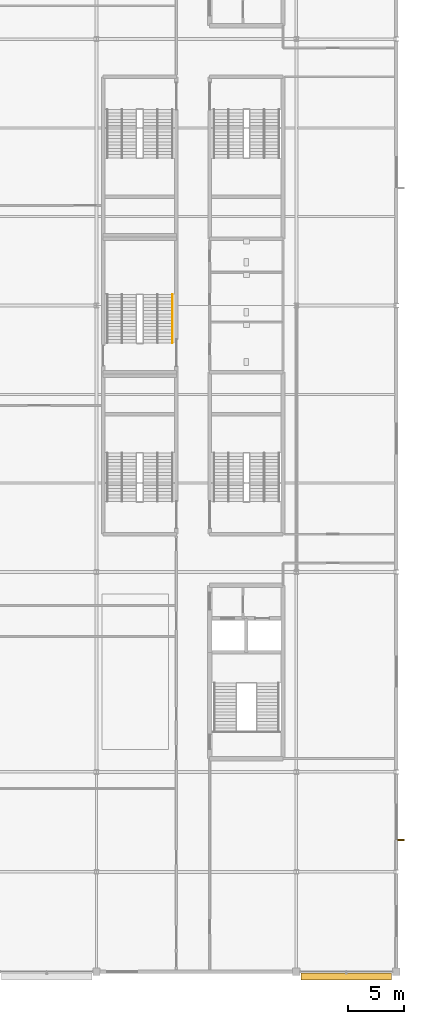
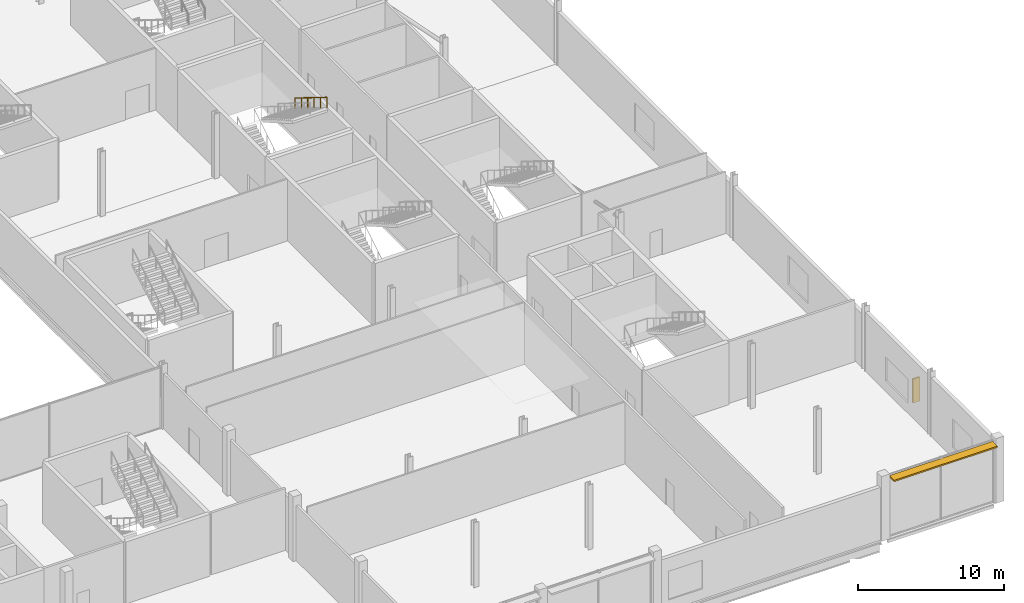
# One storey, part 107 of 111: 2 shading devices, 1 railing.
"""IFC4 building model written with IfcOpenShell, lengths in metres."""

from ifc_helpers import new_model, si_unit, direction, frame, origin, origin_2d, place, context, subcontext, project, spatial, rectangle, circle, extrude, material, type_object, element, save


model = new_model("IFC4")

# Units and contexts
model_context = context("Model", 3, precision=1e-05, world=origin(), true_north=direction((0.0, 1.0)))
body_context = subcontext(model_context, "Body", "Model", "MODEL_VIEW")
ifc_project = project(units=[si_unit("LENGTHUNIT", "METRE"), si_unit("AREAUNIT", "SQUARE_METRE"), si_unit("VOLUMEUNIT", "CUBIC_METRE"), si_unit("PLANEANGLEUNIT", "RADIAN"), si_unit("MASSUNIT", "GRAM", prefix="KILO")], contexts=[model_context])

# Site, building, storey
site_placement = place(None, origin())
site = spatial("IfcSite", under=ifc_project, at=site_placement, CompositionType="ELEMENT")
building_placement = place(site_placement, origin())
building = spatial("IfcBuilding", under=site, at=building_placement, Name="Kisiwana Market Hall", CompositionType="ELEMENT")
storey_placement = place(building_placement, frame((0.0, 0.0, 11.39990234375)))
storey = spatial("IfcBuildingStorey", under=building, at=storey_placement, Name="L02", CompositionType="ELEMENT", Elevation=11.39990234375)

# Railing
ifc_material_1 = material(Name="Steel S275", Category="steel")
railing_type = type_object("IfcRailingType", Name="RL-HAND-900", PredefinedType="HANDRAIL", material=ifc_material_1)
railing_placement = place(storey_placement, frame((177.830078125, 60.989990234375, 2.7001953125)))
element("IfcRailing", 1, at=railing_placement, inside=storey, type_object=railing_type, Name="Stair ST-E5-L02 flight 2 handrail (RL-587)", PredefinedType="HANDRAIL", context=body_context, shape_type="SweptSolid", body=[
    extrude(circle(Radius=0.02392578125, at=origin_2d()), frame((0.0, 0.0, 0.8759765625), z_axis=(0.0, -0.849649743971, 0.527347430608), x_axis=(1.0, 0.0, 0.0)), (0.0, 0.0, 1.0), 5.119873046875),
    extrude(circle(Radius=0.02099609375, at=origin_2d()), origin(), (0.0, 0.0, 1.0), 0.851806640625),
    extrude(circle(Radius=0.02099609375, at=origin_2d()), frame((0.0, -0.8701171875, 0.5400390625)), (0.0, 0.0, 1.0), 0.851806640625),
    extrude(circle(Radius=0.02099609375, at=origin_2d()), frame((0.0, -1.739990234375, 1.080078125)), (0.0, 0.0, 1.0), 0.851806640625),
    extrude(circle(Radius=0.02099609375, at=origin_2d()), frame((0.0, -2.610107421875, 1.619873046875)), (0.0, 0.0, 1.0), 0.851806640625),
    extrude(circle(Radius=0.02099609375, at=origin_2d()), frame((0.0, -3.47998046875, 2.159912109375)), (0.0, 0.0, 1.0), 0.851806640625),
    extrude(circle(Radius=0.02099609375, at=origin_2d()), frame((0.0, -4.35009765625, 2.699951171875)), (0.0, 0.0, 1.0), 0.851806640625),
])

# Shading devices
ifc_material_2 = material(Name="Aluminium alloy 6063-T6", Category="aluminium")
shading_device_type_1 = type_object("IfcShadingDeviceType", Name="SHD-JALOUSIE-H", PredefinedType="JALOUSIE", material=ifc_material_2)
shading_device_1_placement = place(storey_placement, frame((193.5, -0.419921875, 4.969970703125), z_axis=(0.0, 0.0, 1.0), x_axis=(1.0, 0.0, 0.0)))
element("IfcShadingDevice", 2, at=shading_device_1_placement, inside=storey, type_object=shading_device_type_1, Name="Aluminium brise-soleil louvre SHD-048 SD-048", PredefinedType="JALOUSIE", context=body_context, shape_type="SweptSolid", body=[
    extrude(rectangle(XDim=8.14990234375, YDim=0.64990234375, at=origin_2d()), origin(), (0.0, 0.0, 1.0), 0.1201171875),
])
ifc_material_3 = material(Name="Aluminium alloy 6063-T6", Category="aluminium")
shading_device_type_2 = type_object("IfcShadingDeviceType", Name="SHD-SHUTTER-V", PredefinedType="SHUTTER", material=ifc_material_3)
shading_device_2_placement = place(storey_placement, frame((198.419921875, 11.8671875, 0.85009765625), z_axis=(0.0, 0.0, 1.0), x_axis=(0.0, 1.0, 0.0)))
element("IfcShadingDevice", 3, at=shading_device_2_placement, inside=storey, type_object=shading_device_type_2, Name="Vertical solar fin SHD-060 SD-060", PredefinedType="SHUTTER", context=body_context, shape_type="SweptSolid", body=[
    extrude(rectangle(XDim=0.1201171875, YDim=0.550048828125, at=origin_2d()), origin(), (0.0, 0.0, 1.0), 2.0),
])

save(model, "model.ifc")
